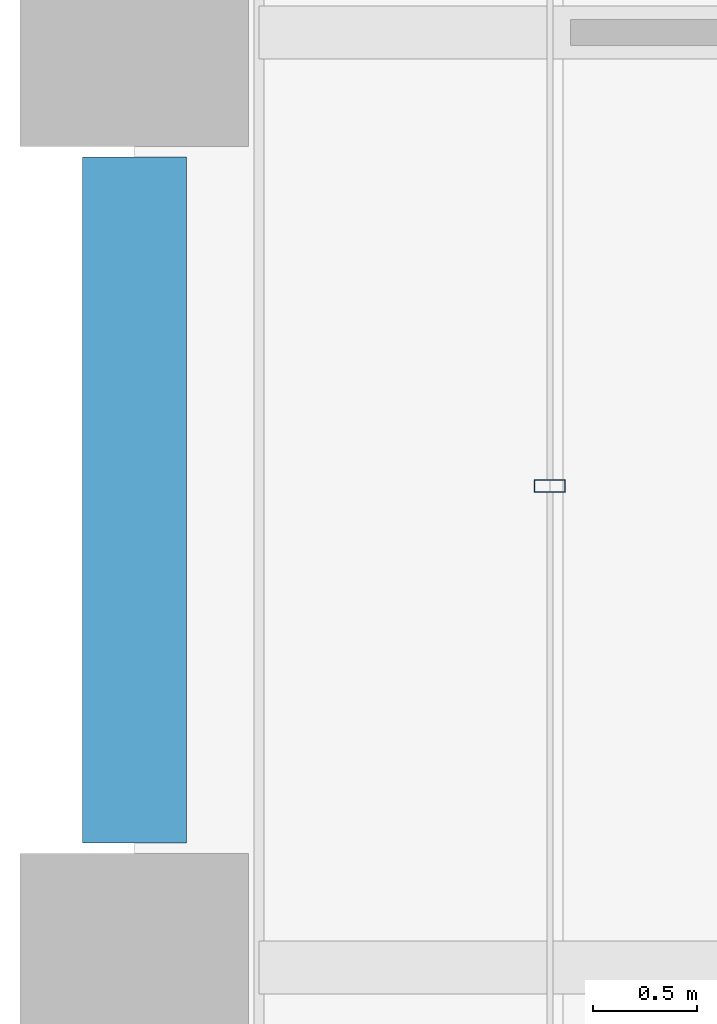
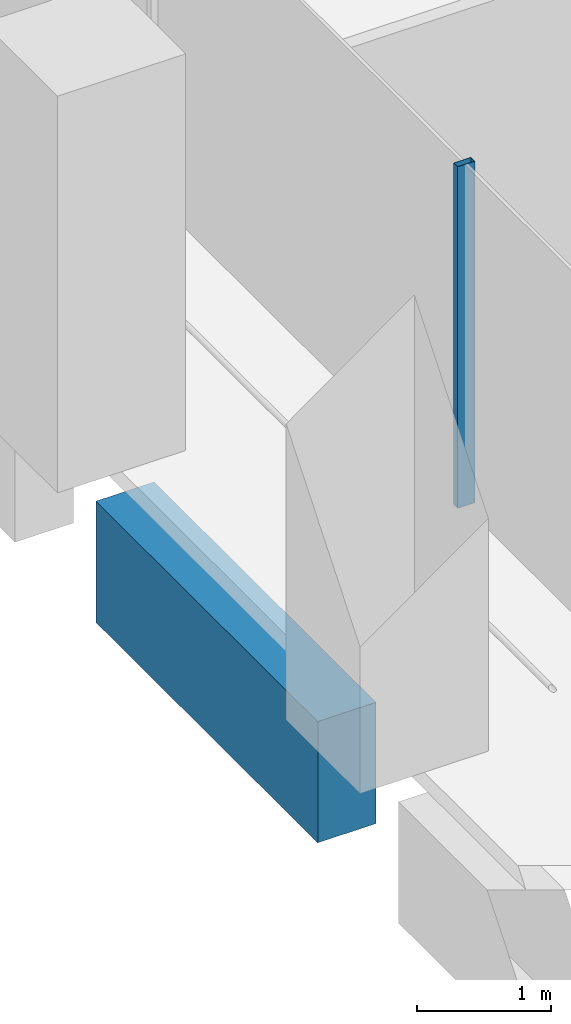
# One storey, part 12 of 55: 1 beam, 1 member, 1 element without a shape of its own.
"""IFC4 building model written with IfcOpenShell, lengths in metres."""

from ifc_helpers import new_model, si_unit, direction, frame, origin, origin_2d, place, context, subcontext, project, spatial, rectangle, hollow_rectangle, extrude, material, material_profile, profile_set, type_object, element, aggregate, save


model = new_model("IFC4")

# Units and contexts
model_context = context("Model", 3, precision=1e-05, world=origin(), true_north=direction((0.0, 1.0)))
body_context = subcontext(model_context, "Body", "Model", "MODEL_VIEW")
ifc_project = project(units=[si_unit("LENGTHUNIT", "METRE"), si_unit("AREAUNIT", "SQUARE_METRE"), si_unit("VOLUMEUNIT", "CUBIC_METRE"), si_unit("PLANEANGLEUNIT", "RADIAN"), si_unit("MASSUNIT", "GRAM", prefix="KILO")], contexts=[model_context])

# Site, building, storey
site_placement = place(None, origin())
site = spatial("IfcSite", under=ifc_project, at=site_placement, CompositionType="ELEMENT")
building_placement = place(site_placement, origin())
building = spatial("IfcBuilding", under=site, at=building_placement, Name="Altepetl Exchange Towers", CompositionType="ELEMENT")
storey_placement = place(building_placement, frame((0.0, 0.0, 47.39990234375)))
storey = spatial("IfcBuildingStorey", under=building, at=storey_placement, Name="L10", CompositionType="ELEMENT", Elevation=47.39990234375)

# Curtain wall, member
ifc_material_1 = material(Name="Aluminium 6063-T6 glazing", Category="aluminium")
curtain_wall_type = type_object("IfcCurtainWallType", Name="Loggia glazing system", PredefinedType="NOTDEFINED", material=ifc_material_1)
curtain_wall_placement = place(storey_placement, origin())
curtain_wall = element("IfcCurtainWall", 1, at=curtain_wall_placement, inside=storey, type_object=curtain_wall_type, Name="CW1 run", PredefinedType="NOTDEFINED")
ifc_material_2 = material(Name="Aluminium 6063-T6", Category="aluminium")
ifc_material_profile_1 = material_profile(ifc_material_2, hollow_rectangle(XDim=0.06005859375, YDim=0.14990234375, WallThickness=0.0029296875, at=origin_2d()), Name="Mullion 60x150 aluminium")
ifc_profile_set_1 = profile_set([ifc_material_profile_1], Name="Aluminium 6063-T6")
member_type = type_object("IfcMemberType", Name="Mullion 60x150 aluminium", PredefinedType="MULLION", material=ifc_profile_set_1)
member_placement = place(storey_placement, frame((29.0, 51.81787109375, 0.0), z_axis=(0.0, 0.0, 1.0), x_axis=(0.0, -1.0, 0.0)))
member = element("IfcMember", 2, at=member_placement, type_object=member_type, Name="MU1 mullion", PredefinedType="MULLION", context=body_context, shape_type="SweptSolid", body=[
    extrude(hollow_rectangle(XDim=0.06005859375, YDim=0.14990234375, WallThickness=0.0029296875, at=origin_2d()), origin(), (0.0, 0.0, 1.0), 3.10009765625),
])
aggregate(curtain_wall, [member])

# Beam
ifc_material_3 = material(Name="Concrete C50/60 precast with tezontle facing", Category="concrete")
ifc_material_profile_2 = material_profile(ifc_material_3, rectangle(XDim=0.5, YDim=1.10009765625, at=origin_2d()), Name="500 x 1100")
ifc_profile_set_2 = profile_set([ifc_material_profile_2], Name="Concrete C50/60 precast with tezontle facing")
beam_type = type_object("IfcBeamType", Name="Spandrel beam 500x1100 tezontle", PredefinedType="SPANDREL", material=ifc_profile_set_2)
beam_placement = place(storey_placement, frame((27.0, 53.39990234375, -0.699951171875), z_axis=(0.0, -1.0, 0.0), x_axis=(1.0, 0.0, 0.0)))
element("IfcBeam", 3, at=beam_placement, inside=storey, type_object=beam_type, Name="sp:A:L10:039", PredefinedType="SPANDREL", context=body_context, shape_type="SweptSolid", body=[
    extrude(rectangle(XDim=0.5, YDim=1.10009765625, at=origin_2d()), origin(), (0.0, 0.0, 1.0), 3.2998046875),
])

save(model, "model.ifc")
